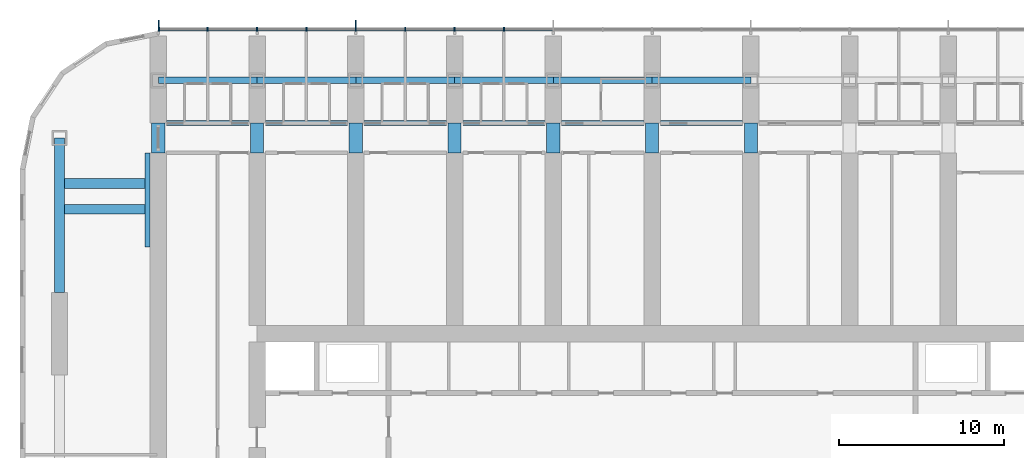
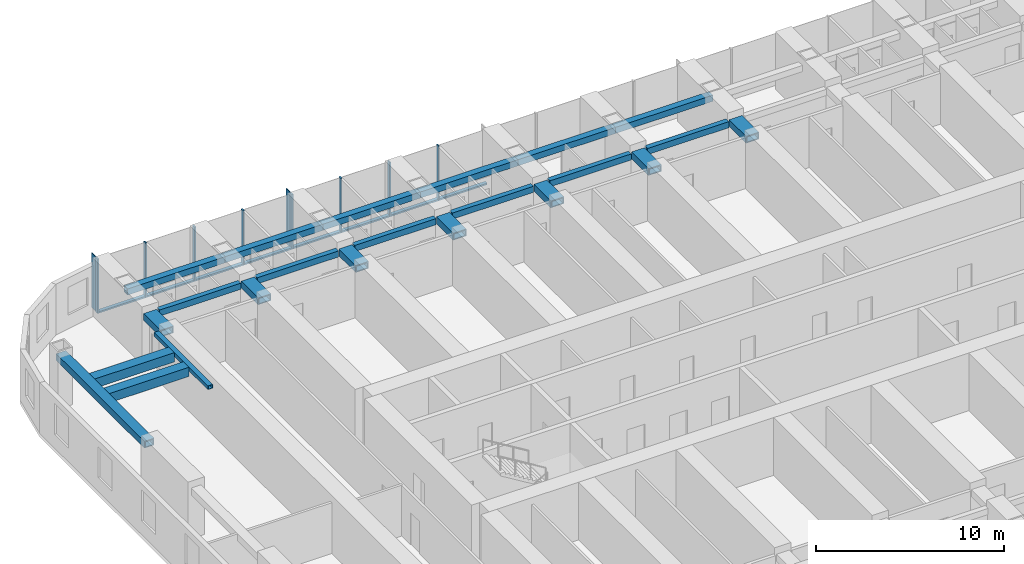
# One storey, part 4 of 24: 23 beams, 18 members, 1 element without a shape of its own.
"""IFC4 building model written with IfcOpenShell, lengths in metres."""

import ifcopenshell
import ifcopenshell.guid

model = None  # the IFC model being written
_history = None  # IfcOwnerHistory: only IFC2X3 demands one
_inside = {}  # id of a spatial element -> (the spatial element, [elements in it])
_under = {}  # id of a project, library or spatial element -> (it, [spatial elements below it])
_declared = {}  # id of a project -> (the project, [libraries it declares])
_typed = {}  # id of a type object -> (the type object, [elements of that type])
_made_of = {}  # id of a material, layer set ... -> (it, [elements and type objects made of it])


def new_model(schema):
    """Start an empty IFC model of exactly this schema.

    Asked for "IFC4X3", IfcOpenShell would pick the latest addendum, in which some entities
    have other attributes; the version numbers below select the first issue.
    IFC2X3 requires an IfcOwnerHistory on every rooted entity: one is made here for all.
    """
    global model, _history
    if schema == "IFC4X3":
        model = ifcopenshell.file(schema_version=(4, 3, 0, 0))
    else:
        model = ifcopenshell.file(schema=schema)
    _inside.clear()
    _under.clear()
    _declared.clear()
    _typed.clear()
    _made_of.clear()
    _history = None
    if model.schema == "IFC2X3":
        org = make("IfcOrganization", Name="unknown")
        user = make(
            "IfcPersonAndOrganization",
            ThePerson=make("IfcPerson", FamilyName="unknown"),
            TheOrganization=org,
        )
        app = make(
            "IfcApplication",
            ApplicationDeveloper=org,
            Version="unknown",
            ApplicationFullName="unknown",
            ApplicationIdentifier="unknown",
        )
        _history = make(
            "IfcOwnerHistory",
            OwningUser=user,
            OwningApplication=app,
            ChangeAction="ADDED",
            CreationDate=0,
        )
    return model


def make(cls, **values):
    """One entity of the class cls with the attributes given. An attribute that is None is left unset."""
    return model.create_entity(
        cls, **{name: value for name, value in values.items() if value is not None}
    )


def rooted(cls, **values):
    """An entity with a GlobalId (a new one), such as an element, a storey or a relation."""
    return make(cls, GlobalId=ifcopenshell.guid.new(), OwnerHistory=_history, **values)


def si_unit(unit_type, name, prefix=None):
    """IfcSIUnit, for example si_unit("LENGTHUNIT", "METRE", prefix="MILLI")."""
    return make("IfcSIUnit", UnitType=unit_type, Prefix=prefix, Name=name)


def assignment(units):
    """IfcUnitAssignment: the units of a project."""
    return None if units is None else make("IfcUnitAssignment", Units=units)


def point(xyz):
    """IfcCartesianPoint."""
    return None if xyz is None else make("IfcCartesianPoint", Coordinates=xyz)


def direction(xyz):
    """IfcDirection."""
    return None if xyz is None else make("IfcDirection", DirectionRatios=xyz)


def frame(location, z_axis=None, x_axis=None):
    """IfcAxis2Placement3D, a coordinate frame: its origin and axes. An axis left out is left unset."""
    return make(
        "IfcAxis2Placement3D",
        Location=point(location),
        Axis=direction(z_axis),
        RefDirection=direction(x_axis),
    )


def frame_2d(location, x_axis=None):
    """IfcAxis2Placement2D, a coordinate frame in the plane: its origin and x axis."""
    return make(
        "IfcAxis2Placement2D", Location=point(location), RefDirection=direction(x_axis)
    )


def origin():
    """The frame at (0, 0, 0) with its axes left unset."""
    return frame((0.0, 0.0, 0.0))


def origin_2d():
    """The frame at (0, 0) in the plane with its x axis left unset."""
    return frame_2d((0.0, 0.0))


def place(relative_to, where):
    """IfcLocalPlacement: puts the frame where relative to a parent placement (None: the world)."""
    return make(
        "IfcLocalPlacement", PlacementRelTo=relative_to, RelativePlacement=where
    )


def context(
    kind, dimensions, precision=None, world=None, true_north=None, identifier=None
):
    """IfcGeometricRepresentationContext, for example the 3D "Model" context."""
    return make(
        "IfcGeometricRepresentationContext",
        ContextIdentifier=identifier,
        ContextType=kind,
        CoordinateSpaceDimension=dimensions,
        Precision=precision,
        WorldCoordinateSystem=world,
        TrueNorth=true_north,
    )


def subcontext(parent, identifier, kind, view, scale=None):
    """IfcGeometricRepresentationSubContext, for example "Body" below "Model"."""
    return make(
        "IfcGeometricRepresentationSubContext",
        ContextIdentifier=identifier,
        ContextType=kind,
        ParentContext=parent,
        TargetScale=scale,
        TargetView=view,
    )


def project(units=None, contexts=None):
    """IfcProject with its units and contexts."""
    return rooted(
        "IfcProject",
        Name="project",
        RepresentationContexts=contexts,
        UnitsInContext=assignment(units),
    )


def spatial(cls, under=None, at=None, **own):
    """A site, building, storey or space (cls), placed at a placement, below another one or the project."""
    s = rooted(cls, ObjectPlacement=at, **own)
    if under is not None:
        _under.setdefault(under.id(), (under, []))[1].append(s)
    return s


def profile(cls, at=None, kind="AREA", **sizes):
    """A parametric profile (cls). Its sizes go by their IFC names, for example OverallWidth=200.0."""
    return make(cls, ProfileType=kind, Position=at, **sizes)


def rectangle(**sizes):
    """IfcRectangleProfileDef."""
    return profile("IfcRectangleProfileDef", **sizes)


def hollow_rectangle(**sizes):
    """IfcRectangleHollowProfileDef."""
    return profile("IfcRectangleHollowProfileDef", **sizes)


def extrude(swept, where, along, depth):
    """IfcExtrudedAreaSolid: the profile swept, set in the frame where, extruded along a direction by depth."""
    return make(
        "IfcExtrudedAreaSolid",
        SweptArea=swept,
        Position=where,
        ExtrudedDirection=direction(along),
        Depth=depth,
    )


def shape(context_of_items, identifier, shape_type, items):
    """IfcShapeRepresentation: the items that make up one representation, for example the "Body"."""
    return make(
        "IfcShapeRepresentation",
        ContextOfItems=context_of_items,
        RepresentationIdentifier=identifier,
        RepresentationType=shape_type,
        Items=items,
    )


def material(Name=None, Category=None):
    """IfcMaterial."""
    return make("IfcMaterial", Name=Name, Category=Category)


def material_profile(
    of_material, cross_section, Name=None, Category=None, Priority=None
):
    """IfcMaterialProfile: a cross section and its material."""
    return make(
        "IfcMaterialProfile",
        Name=Name,
        Material=of_material,
        Profile=cross_section,
        Priority=Priority,
        Category=Category,
    )


def profile_set(profiles, Name=None, composite=None):
    """IfcMaterialProfileSet."""
    return make(
        "IfcMaterialProfileSet",
        Name=Name,
        MaterialProfiles=profiles,
        CompositeProfile=composite,
    )


def made_of(thing, what):
    """Note that an element or type object is made of a material, layer set ...; save() writes the relation."""
    if what is not None:
        _made_of.setdefault(what.id(), (what, []))[1].append(thing)
    return thing


def type_object(cls, material=None, **own):
    """A type object (cls), such as IfcWallType, which elements share."""
    return made_of(rooted(cls, **own), material)


def element(
    cls,
    number,
    at=None,
    inside=None,
    cuts=None,
    type_object=None,
    material=None,
    context=None,
    identifier="Body",
    shape_type=None,
    held_by="IfcProductDefinitionShape",
    body=None,
    shapes=None,
    **own,
):
    """One element of the class cls, such as IfcWall. Its Tag is "e" and its number.

    at: its placement. inside: the storey or other place that contains it. cuts: it is an
    opening in that element (IfcRelVoidsElement). A single representation is given by context,
    identifier, shape_type and body (its items); several are given by shapes. held_by: the class
    of the entity that holds the representations. save() writes the other relations.
    """
    e = rooted(cls, Tag="e%d" % number, ObjectPlacement=at, **own)
    if body is not None:
        shapes = [shape(context, identifier, shape_type, body)]
    if shapes is not None:
        e.Representation = make(held_by, Representations=shapes)
    if inside is not None:
        _inside.setdefault(inside.id(), (inside, []))[1].append(e)
    if cuts is not None:
        rooted(
            "IfcRelVoidsElement", RelatingBuildingElement=cuts, RelatedOpeningElement=e
        )
    if type_object is not None:
        _typed.setdefault(type_object.id(), (type_object, []))[1].append(e)
    return made_of(e, material)


def aggregate(whole, parts):
    """IfcRelAggregates: a whole, such as a stair, and the parts it consists of."""
    return rooted("IfcRelAggregates", RelatingObject=whole, RelatedObjects=parts)


def save(model, path):
    """Write the relations noted so far, then the file.

    IfcRelAggregates (storeys below a building ...), IfcRelContainedInSpatialStructure (elements
    in a storey), IfcRelDefinesByType, IfcRelAssociatesMaterial and IfcRelDeclares: one each for
    every whole, place, type object, material and project.
    """
    for whole, parts in _under.values():
        aggregate(whole, parts)
    for where, things in _inside.values():
        rooted(
            "IfcRelContainedInSpatialStructure",
            RelatedElements=things,
            RelatingStructure=where,
        )
    for kind, things in _typed.values():
        rooted("IfcRelDefinesByType", RelatedObjects=things, RelatingType=kind)
    for what, things in _made_of.values():
        rooted("IfcRelAssociatesMaterial", RelatedObjects=things, RelatingMaterial=what)
    for by, libraries in _declared.values():
        rooted("IfcRelDeclares", RelatingContext=by, RelatedDefinitions=libraries)
    model.write(path)


model = new_model("IFC4")

# Units and contexts
model_context = context("Model", 3, precision=1e-05, world=origin(), true_north=direction((0.0, 1.0)))
body_context = subcontext(model_context, "Body", "Model", "MODEL_VIEW")
ifc_project = project(units=[si_unit("LENGTHUNIT", "METRE"), si_unit("AREAUNIT", "SQUARE_METRE"), si_unit("VOLUMEUNIT", "CUBIC_METRE"), si_unit("PLANEANGLEUNIT", "RADIAN"), si_unit("MASSUNIT", "GRAM", prefix="KILO")], contexts=[model_context])

# Site, building, storey
site_placement = place(None, origin())
site = spatial("IfcSite", under=ifc_project, at=site_placement, CompositionType="ELEMENT")
building_placement = place(site_placement, origin())
building = spatial("IfcBuilding", under=site, at=building_placement, Name="Orbita Commons", CompositionType="ELEMENT")
storey_placement = place(building_placement, frame((0.0, 0.0, 35.199951171875)))
storey = spatial("IfcBuildingStorey", under=building, at=storey_placement, Name="L08", CompositionType="ELEMENT", Elevation=35.199951171875)

# Curtain wall, members
ifc_material_1 = material(Name="Anodised aluminium frame, pale silver", Category="aluminium")
curtain_wall_type = type_object("IfcCurtainWallType", Name="Unitised curtain wall CW-T, vision and spandrel", PredefinedType="NOTDEFINED", material=ifc_material_1)
curtain_wall_placement = place(storey_placement, origin())
curtain_wall = element("IfcCurtainWall", 1, at=curtain_wall_placement, inside=storey, type_object=curtain_wall_type, Name="Curtain wall north L08", PredefinedType="NOTDEFINED")
ifc_material_2 = material(Name="Anodised aluminium, pale silver", Category="aluminium")
ifc_material_profile_1 = material_profile(ifc_material_2, rectangle(XDim=0.080078125, YDim=0.219970703125, at=origin_2d()), Name="AL 80x220")
ifc_profile_set_1 = profile_set([ifc_material_profile_1], Name="Anodised aluminium, pale silver")
member_type_1 = type_object("IfcMemberType", Name="Curtain wall mullion 80x220", PredefinedType="MULLION", material=ifc_profile_set_1)
member_1_placement = place(storey_placement, frame((33.0, 56.7099609375, -0.25), z_axis=(0.0, 0.0, 1.0), x_axis=(-1.0, 0.0, 0.0)))
member_1 = element("IfcMember", 2, at=member_1_placement, type_object=member_type_1, Name="Mullion 14 CW-L08-N", PredefinedType="MULLION", context=body_context, shape_type="SweptSolid", body=[
    extrude(rectangle(XDim=0.080078125, YDim=0.219970703125, at=origin_2d()), origin(), (0.0, 0.0, 1.0), 3.550048828125),
])
member_2_placement = place(storey_placement, frame((30.0, 56.7099609375, -0.25), z_axis=(0.0, 0.0, 1.0), x_axis=(-1.0, 0.0, 0.0)))
member_2 = element("IfcMember", 3, at=member_2_placement, type_object=member_type_1, Name="Mullion 15 CW-L08-N", PredefinedType="MULLION", context=body_context, shape_type="SweptSolid", body=[
    extrude(rectangle(XDim=0.080078125, YDim=0.219970703125, at=origin_2d()), origin(), (0.0, 0.0, 1.0), 3.550048828125),
])
member_3_placement = place(storey_placement, frame((27.0, 56.7099609375, -0.25), z_axis=(0.0, 0.0, 1.0), x_axis=(-1.0, 0.0, 0.0)))
member_3 = element("IfcMember", 4, at=member_3_placement, type_object=member_type_1, Name="Mullion 16 CW-L08-N", PredefinedType="MULLION", context=body_context, shape_type="SweptSolid", body=[
    extrude(rectangle(XDim=0.080078125, YDim=0.219970703125, at=origin_2d()), origin(), (0.0, 0.0, 1.0), 3.550048828125),
])
member_4_placement = place(storey_placement, frame((24.0, 56.7099609375, -0.25), z_axis=(0.0, 0.0, 1.0), x_axis=(-1.0, 0.0, 0.0)))
member_4 = element("IfcMember", 5, at=member_4_placement, type_object=member_type_1, Name="Mullion 17 CW-L08-N", PredefinedType="MULLION", context=body_context, shape_type="SweptSolid", body=[
    extrude(rectangle(XDim=0.080078125, YDim=0.219970703125, at=origin_2d()), origin(), (0.0, 0.0, 1.0), 3.550048828125),
])
member_5_placement = place(storey_placement, frame((21.0, 56.7099609375, -0.25), z_axis=(0.0, 0.0, 1.0), x_axis=(-1.0, 0.0, 0.0)))
member_5 = element("IfcMember", 6, at=member_5_placement, type_object=member_type_1, Name="Mullion 18 CW-L08-N", PredefinedType="MULLION", context=body_context, shape_type="SweptSolid", body=[
    extrude(rectangle(XDim=0.080078125, YDim=0.219970703125, at=origin_2d()), origin(), (0.0, 0.0, 1.0), 3.550048828125),
])
member_6_placement = place(storey_placement, frame((18.0, 56.7099609375, -0.25), z_axis=(0.0, 0.0, 1.0), x_axis=(-1.0, 0.0, 0.0)))
member_6 = element("IfcMember", 7, at=member_6_placement, type_object=member_type_1, Name="Mullion 19 CW-L08-N", PredefinedType="MULLION", context=body_context, shape_type="SweptSolid", body=[
    extrude(rectangle(XDim=0.080078125, YDim=0.219970703125, at=origin_2d()), origin(), (0.0, 0.0, 1.0), 3.550048828125),
])
member_7_placement = place(storey_placement, frame((15.0, 56.7099609375, -0.25), z_axis=(0.0, 0.0, 1.0), x_axis=(-1.0, 0.0, 0.0)))
member_7 = element("IfcMember", 8, at=member_7_placement, type_object=member_type_1, Name="Mullion 20 CW-L08-N", PredefinedType="MULLION", context=body_context, shape_type="SweptSolid", body=[
    extrude(rectangle(XDim=0.080078125, YDim=0.219970703125, at=origin_2d()), origin(), (0.0, 0.0, 1.0), 3.550048828125),
])
member_8_placement = place(storey_placement, frame((12.0400390625, 56.7099609375, -0.25), z_axis=(0.0, 0.0, 1.0), x_axis=(-1.0, 0.0, 0.0)))
member_8 = element("IfcMember", 9, at=member_8_placement, type_object=member_type_1, Name="Mullion 21 CW-L08-N", PredefinedType="MULLION", context=body_context, shape_type="SweptSolid", body=[
    extrude(rectangle(XDim=0.080078125, YDim=0.219970703125, at=origin_2d()), origin(), (0.0, 0.0, 1.0), 3.550048828125),
])
ifc_material_3 = material(Name="Anodised aluminium, pale silver", Category="aluminium")
ifc_material_profile_2 = material_profile(ifc_material_3, rectangle(XDim=0.219970703125, YDim=0.10009765625, at=origin_2d()), Name="AL 220x100")
ifc_profile_set_2 = profile_set([ifc_material_profile_2], Name="Anodised aluminium, pale silver")
member_type_2 = type_object("IfcMemberType", Name="Curtain wall stack transom 220x100", PredefinedType="USERDEFINED", material=ifc_profile_set_2)
member_9_placement = place(storey_placement, frame((35.9599609375, 56.7099609375, -0.199951171875), z_axis=(-1.0, 0.0, 0.0), x_axis=(0.0, -1.0, 0.0)))
member_9 = element("IfcMember", 10, at=member_9_placement, type_object=member_type_2, Name="Transom 13.1 CW-L08-N", ObjectType="TRANSOM", PredefinedType="USERDEFINED", context=body_context, shape_type="SweptSolid", body=[
    extrude(rectangle(XDim=0.219970703125, YDim=0.10009765625, at=origin_2d()), origin(), (0.0, 0.0, 1.0), 2.919921875),
])
member_10_placement = place(storey_placement, frame((32.9599609375, 56.7099609375, -0.199951171875), z_axis=(-1.0, 0.0, 0.0), x_axis=(0.0, -1.0, 0.0)))
member_10 = element("IfcMember", 11, at=member_10_placement, type_object=member_type_2, Name="Transom 14.1 CW-L08-N", ObjectType="TRANSOM", PredefinedType="USERDEFINED", context=body_context, shape_type="SweptSolid", body=[
    extrude(rectangle(XDim=0.219970703125, YDim=0.10009765625, at=origin_2d()), origin(), (0.0, 0.0, 1.0), 2.919921875),
])
member_11_placement = place(storey_placement, frame((29.9599609375, 56.7099609375, -0.199951171875), z_axis=(-1.0, 0.0, 0.0), x_axis=(0.0, -1.0, 0.0)))
member_11 = element("IfcMember", 12, at=member_11_placement, type_object=member_type_2, Name="Transom 15.1 CW-L08-N", ObjectType="TRANSOM", PredefinedType="USERDEFINED", context=body_context, shape_type="SweptSolid", body=[
    extrude(rectangle(XDim=0.219970703125, YDim=0.10009765625, at=origin_2d()), origin(), (0.0, 0.0, 1.0), 2.919921875),
])
member_12_placement = place(storey_placement, frame((26.9599609375, 56.7099609375, -0.199951171875), z_axis=(-1.0, 0.0, 0.0), x_axis=(0.0, -1.0, 0.0)))
member_12 = element("IfcMember", 13, at=member_12_placement, type_object=member_type_2, Name="Transom 16.1 CW-L08-N", ObjectType="TRANSOM", PredefinedType="USERDEFINED", context=body_context, shape_type="SweptSolid", body=[
    extrude(rectangle(XDim=0.219970703125, YDim=0.10009765625, at=origin_2d()), origin(), (0.0, 0.0, 1.0), 2.919921875),
])
member_13_placement = place(storey_placement, frame((23.9599609375, 56.7099609375, -0.199951171875), z_axis=(-1.0, 0.0, 0.0), x_axis=(0.0, -1.0, 0.0)))
member_13 = element("IfcMember", 14, at=member_13_placement, type_object=member_type_2, Name="Transom 17.1 CW-L08-N", ObjectType="TRANSOM", PredefinedType="USERDEFINED", context=body_context, shape_type="SweptSolid", body=[
    extrude(rectangle(XDim=0.219970703125, YDim=0.10009765625, at=origin_2d()), origin(), (0.0, 0.0, 1.0), 2.919921875),
])
member_14_placement = place(storey_placement, frame((20.9599609375, 56.7099609375, -0.199951171875), z_axis=(-1.0, 0.0, 0.0), x_axis=(0.0, -1.0, 0.0)))
member_14 = element("IfcMember", 15, at=member_14_placement, type_object=member_type_2, Name="Transom 18.1 CW-L08-N", ObjectType="TRANSOM", PredefinedType="USERDEFINED", context=body_context, shape_type="SweptSolid", body=[
    extrude(rectangle(XDim=0.219970703125, YDim=0.10009765625, at=origin_2d()), origin(), (0.0, 0.0, 1.0), 2.919921875),
])
member_15_placement = place(storey_placement, frame((17.9599609375, 56.7099609375, -0.199951171875), z_axis=(-1.0, 0.0, 0.0), x_axis=(0.0, -1.0, 0.0)))
member_15 = element("IfcMember", 16, at=member_15_placement, type_object=member_type_2, Name="Transom 19.1 CW-L08-N", ObjectType="TRANSOM", PredefinedType="USERDEFINED", context=body_context, shape_type="SweptSolid", body=[
    extrude(rectangle(XDim=0.219970703125, YDim=0.10009765625, at=origin_2d()), origin(), (0.0, 0.0, 1.0), 2.919921875),
])
member_16_placement = place(storey_placement, frame((14.9599609375, 56.7099609375, -0.199951171875), z_axis=(-1.0, 0.0, 0.0), x_axis=(0.0, -1.0, 0.0)))
member_16 = element("IfcMember", 17, at=member_16_placement, type_object=member_type_2, Name="Transom 20.1 CW-L08-N", ObjectType="TRANSOM", PredefinedType="USERDEFINED", context=body_context, shape_type="SweptSolid", body=[
    extrude(rectangle(XDim=0.219970703125, YDim=0.10009765625, at=origin_2d()), origin(), (0.0, 0.0, 1.0), 2.8798828125),
])

# Beams
ifc_material_4 = material(Name="Steel ASTM A572 Gr 50 welded plate", Category="steel")
ifc_material_profile_3 = material_profile(ifc_material_4, hollow_rectangle(XDim=0.60009765625, YDim=0.60009765625, WallThickness=0.06005859375, at=origin_2d()), Name="BOX 600x600x60")
ifc_profile_set_3 = profile_set([ifc_material_profile_3], Name="Steel ASTM A572 Gr 50 welded plate")
beam_type_1 = type_object("IfcBeamType", Name="Stair trimmer beam BOX 600x600x60", PredefinedType="BEAM", material=ifc_profile_set_3)
for number, where, z_axis, x_axis, name in (
    (18, (6.300048828125, 45.77490234375, 3.0), (1.0, 0.0, 0.0), (0.0, 1.0, 0.0), "Neighbourhood stair L09 to L10 transfer beam 1"),
    (19, (6.300048828125, 47.3349609375, 3.0), (1.0, 0.0, 0.0), (0.0, 1.0, 0.0), "Neighbourhood stair L09 to L10 transfer beam 2"),
):
    element("IfcBeam", number, at=place(storey_placement, frame(where, z_axis=z_axis, x_axis=x_axis)), inside=storey, type_object=beam_type_1, Name=name, PredefinedType="BEAM", context=body_context, shape_type="SweptSolid", body=[
        extrude(hollow_rectangle(XDim=0.60009765625, YDim=0.60009765625, WallThickness=0.06005859375, at=origin_2d()), origin(), (0.0, 0.0, 1.0), 4.89990234375),
    ])
ifc_material_5 = material(Name="Steel ASTM A572 Gr 50 welded plate", Category="steel")
ifc_material_profile_4 = material_profile(ifc_material_5, hollow_rectangle(XDim=0.300048828125, YDim=0.39990234375, WallThickness=0.0400390625, at=origin_2d()), Name="BOX 400x300x40")
ifc_profile_set_4 = profile_set([ifc_material_profile_4], Name="Steel ASTM A572 Gr 50 welded plate")
beam_type_2 = type_object("IfcBeamType", Name="Steel corridor link BOX 400x300x40", PredefinedType="BEAM", material=ifc_profile_set_4)
for number, where, z_axis, x_axis, name in (
    (20, (12.5, 51.0, 3.10009765625), (1.0, 0.0, 0.0), (0.0, 1.0, 0.0), "Corridor beam NB 3-4 L08"),
    (21, (18.5, 51.0, 3.10009765625), (1.0, 0.0, 0.0), (0.0, 1.0, 0.0), "Corridor beam NB 4-5 L08"),
    (22, (24.5, 51.0, 3.10009765625), (1.0, 0.0, 0.0), (0.0, 1.0, 0.0), "Corridor beam NB 5-6 L08"),
    (23, (30.5, 51.0, 3.10009765625), (1.0, 0.0, 0.0), (0.0, 1.0, 0.0), "Corridor beam NB 6-7 L08"),
    (24, (36.5, 51.0, 3.10009765625), (1.0, 0.0, 0.0), (0.0, 1.0, 0.0), "Corridor beam NB 7-8 L08"),
    (25, (42.5, 51.0, 3.10009765625), (1.0, 0.0, 0.0), (0.0, 1.0, 0.0), "Corridor beam NB 8-9 L08"),
):
    element("IfcBeam", number, at=place(storey_placement, frame(where, z_axis=z_axis, x_axis=x_axis)), inside=storey, type_object=beam_type_2, Name=name, PredefinedType="BEAM", context=body_context, shape_type="SweptSolid", body=[
        extrude(hollow_rectangle(XDim=0.300048828125, YDim=0.39990234375, WallThickness=0.0400390625, at=origin_2d()), origin(), (0.0, 0.0, 1.0), 5.0),
    ])
ifc_material_6 = material(Name="Steel ASTM A572 Gr 50 welded plate", Category="steel")
ifc_material_profile_5 = material_profile(ifc_material_6, hollow_rectangle(XDim=0.800048828125, YDim=0.449951171875, WallThickness=0.06005859375, at=origin_2d()), Name="BOX 450x800x60")
ifc_profile_set_5 = profile_set([ifc_material_profile_5], Name="Steel ASTM A572 Gr 50 welded plate")
beam_type_3 = type_object("IfcBeamType", Name="Steel coupling link BOX 450x800x60", PredefinedType="LINTEL", material=ifc_profile_set_5)
for number, where, z_axis, x_axis, name in (
    (26, (12.0, 49.199951171875, 3.074951171875), (0.0, 1.0, 0.0), (-1.0, 0.0, 0.0), "Coupling beam 3 north L08"),
    (27, (18.0, 49.199951171875, 3.074951171875), (0.0, 1.0, 0.0), (-1.0, 0.0, 0.0), "Coupling beam 4 north L08"),
    (28, (24.0, 49.199951171875, 3.074951171875), (0.0, 1.0, 0.0), (-1.0, 0.0, 0.0), "Coupling beam 5 north L08"),
    (29, (30.0, 49.199951171875, 3.074951171875), (0.0, 1.0, 0.0), (-1.0, 0.0, 0.0), "Coupling beam 6 north L08"),
    (30, (36.0, 49.199951171875, 3.074951171875), (0.0, 1.0, 0.0), (-1.0, 0.0, 0.0), "Coupling beam 7 north L08"),
    (31, (42.0, 49.199951171875, 3.074951171875), (0.0, 1.0, 0.0), (-1.0, 0.0, 0.0), "Coupling beam 8 north L08"),
    (32, (48.0, 49.199951171875, 3.074951171875), (0.0, 1.0, 0.0), (-1.0, 0.0, 0.0), "Coupling beam 9 north L08"),
):
    element("IfcBeam", number, at=place(storey_placement, frame(where, z_axis=z_axis, x_axis=x_axis)), inside=storey, type_object=beam_type_3, Name=name, PredefinedType="LINTEL", context=body_context, shape_type="SweptSolid", body=[
        extrude(hollow_rectangle(XDim=0.800048828125, YDim=0.449951171875, WallThickness=0.06005859375, at=origin_2d()), origin(), (0.0, 0.0, 1.0), 1.800048828125),
    ])
ifc_material_7 = material(Name="Steel ASTM A572 Gr 50 welded plate", Category="steel")
ifc_material_profile_6 = material_profile(ifc_material_7, hollow_rectangle(XDim=0.60009765625, YDim=0.449951171875, WallThickness=0.06005859375, at=origin_2d()), Name="BOX 450x600x60")
ifc_profile_set_6 = profile_set([ifc_material_profile_6], Name="Steel ASTM A572 Gr 50 welded plate")
beam_type_4 = type_object("IfcBeamType", Name="Steel end frame link BOX 450x600x60", PredefinedType="BEAM", material=ifc_profile_set_6)
beam_1_placement = place(storey_placement, frame((6.0, 40.699951171875, 3.074951171875), z_axis=(0.0, 1.0, 0.0), x_axis=(-1.0, 0.0, 0.0)))
element("IfcBeam", 33, at=beam_1_placement, inside=storey, type_object=beam_type_4, Name="End frame beam 2 D-E L08", PredefinedType="BEAM", context=body_context, shape_type="SweptSolid", body=[
    extrude(hollow_rectangle(XDim=0.60009765625, YDim=0.449951171875, WallThickness=0.06005859375, at=origin_2d()), origin(), (0.0, 0.0, 1.0), 9.400146484375),
])
ifc_material_8 = material(Name="Steel ASTM A572 Gr 50 welded plate", Category="steel")
ifc_material_profile_7 = material_profile(ifc_material_8, hollow_rectangle(XDim=0.39990234375, YDim=0.39990234375, WallThickness=0.0400390625, at=origin_2d()), Name="BOX 400x400x40")
ifc_profile_set_7 = profile_set([ifc_material_profile_7], Name="Steel ASTM A572 Gr 50 welded plate")
beam_type_5 = type_object("IfcBeamType", Name="Steel spandrel BOX 400x400x40", PredefinedType="SPANDREL", material=ifc_profile_set_7)
for number, where, z_axis, x_axis, name in (
    (34, (12.0, 53.60009765625, 3.10009765625), (1.0, 0.0, 0.0), (0.0, 1.0, 0.0), "Spandrel beam E 3-4 L08"),
    (35, (18.0, 53.60009765625, 3.10009765625), (1.0, 0.0, 0.0), (0.0, 1.0, 0.0), "Spandrel beam E 4-5 L08"),
    (36, (24.0, 53.60009765625, 3.10009765625), (1.0, 0.0, 0.0), (0.0, 1.0, 0.0), "Spandrel beam E 5-6 L08"),
    (37, (30.0, 53.60009765625, 3.10009765625), (1.0, 0.0, 0.0), (0.0, 1.0, 0.0), "Spandrel beam E 6-7 L08"),
    (38, (36.0, 53.60009765625, 3.10009765625), (1.0, 0.0, 0.0), (0.0, 1.0, 0.0), "Spandrel beam E 7-8 L08"),
    (39, (42.0, 53.60009765625, 3.10009765625), (1.0, 0.0, 0.0), (0.0, 1.0, 0.0), "Spandrel beam E 8-9 L08"),
):
    element("IfcBeam", number, at=place(storey_placement, frame(where, z_axis=z_axis, x_axis=x_axis)), inside=storey, type_object=beam_type_5, Name=name, PredefinedType="SPANDREL", context=body_context, shape_type="SweptSolid", body=[
        extrude(hollow_rectangle(XDim=0.39990234375, YDim=0.39990234375, WallThickness=0.0400390625, at=origin_2d()), origin(), (0.0, 0.0, 1.0), 6.0),
    ])
ifc_material_9 = material(Name="Steel ASTM A572 Gr 50 welded plate", Category="steel")
ifc_material_profile_8 = material_profile(ifc_material_9, hollow_rectangle(XDim=0.300048828125, YDim=0.25, WallThickness=0.02490234375, at=origin_2d()), Name="BOX 250x300x25")
ifc_profile_set_8 = profile_set([ifc_material_profile_8], Name="Steel ASTM A572 Gr 50 welded plate")
beam_type_6 = type_object("IfcBeamType", Name="Trimmer ledger beam BOX 250x300x25", PredefinedType="BEAM", material=ifc_profile_set_8)
beam_2_placement = place(storey_placement, frame((11.35009765625, 43.466552734375, 3.175048828125), z_axis=(0.0, 1.0, 0.0), x_axis=(-1.0, 0.0, 0.0)))
element("IfcBeam", 40, at=beam_2_placement, inside=storey, type_object=beam_type_6, Name="Neighbourhood stair L09 to L10 trimmer ledger 1E", PredefinedType="BEAM", context=body_context, shape_type="SweptSolid", body=[
    extrude(hollow_rectangle(XDim=0.300048828125, YDim=0.25, WallThickness=0.02490234375, at=origin_2d()), origin(), (0.0, 0.0, 1.0), 5.7333984375),
])

# Member
ifc_material_10 = material(Name="Anodised aluminium, pale silver", Category="aluminium")
ifc_material_profile_9 = material_profile(ifc_material_10, rectangle(XDim=0.06005859375, YDim=0.449951171875, at=origin_2d()), Name="FIN 60x450")
ifc_profile_set_9 = profile_set([ifc_material_profile_9], Name="Anodised aluminium, pale silver")
member_type_3 = type_object("IfcMemberType", Name="Vertical fin 60x450 pale aluminium", PredefinedType="USERDEFINED", material=ifc_profile_set_9)
member_17_placement = place(storey_placement, frame((24.0, 57.044921875, -0.25), z_axis=(0.0, 0.0, 1.0), x_axis=(-1.0, 0.0, 0.0)))
member_17 = element("IfcMember", 41, at=member_17_placement, type_object=member_type_3, Name="Fin 17 CW-L08-N", ObjectType="FIN", PredefinedType="USERDEFINED", context=body_context, shape_type="SweptSolid", body=[
    extrude(rectangle(XDim=0.06005859375, YDim=0.449951171875, at=origin_2d()), origin(), (0.0, 0.0, 1.0), 3.550048828125),
])

member_18_placement = place(storey_placement, frame((12.0400390625, 57.044921875, -0.25), z_axis=(0.0, 0.0, 1.0), x_axis=(-1.0, 0.0, 0.0)))
member_18 = element("IfcMember", 42, at=member_18_placement, type_object=member_type_3, Name="Fin 21 CW-L08-N", ObjectType="FIN", PredefinedType="USERDEFINED", context=body_context, shape_type="SweptSolid", body=[
    extrude(rectangle(XDim=0.06005859375, YDim=0.449951171875, at=origin_2d()), origin(), (0.0, 0.0, 1.0), 3.550048828125),
])

aggregate(curtain_wall, [member_1, member_2, member_3, member_4, member_17, member_5, member_6, member_7, member_8, member_18, member_9, member_10, member_11, member_12, member_13, member_14, member_15, member_16])

save(model, "model.ifc")
